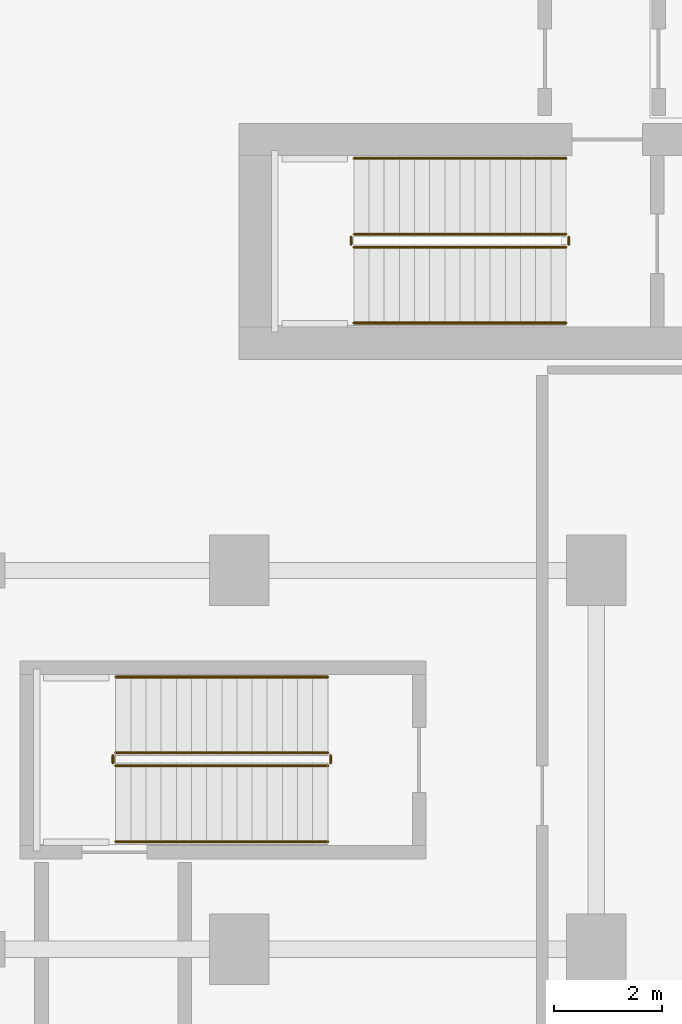
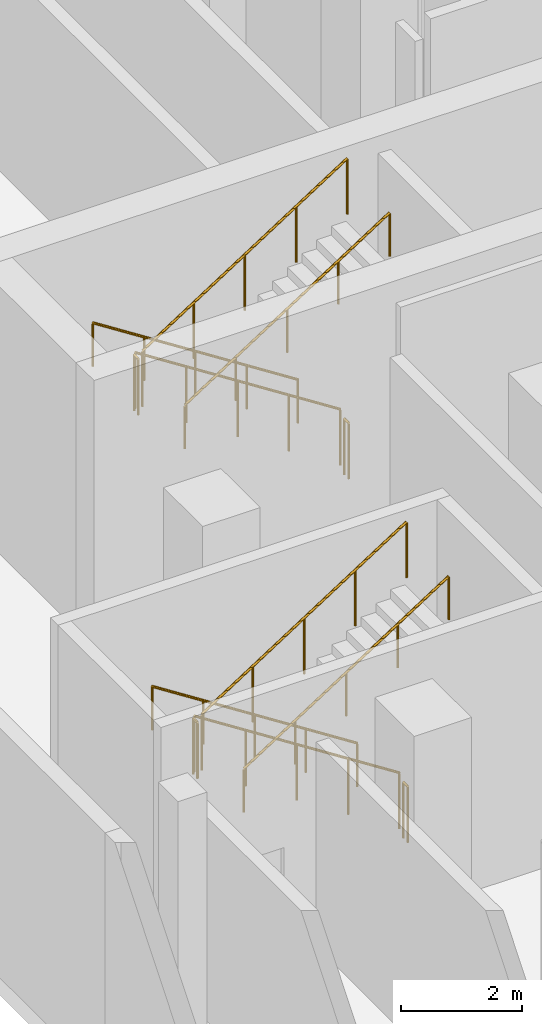
# One storey, part 21 of 24: 12 railings.
"""IFC4 building model written with IfcOpenShell, lengths in metres."""

from ifc_helpers import new_model, si_unit, derived_unit, direction, frame, origin, origin_2d, place, context, subcontext, project, spatial, circle, extrude, material, type_object, element, save


model = new_model("IFC4")

# Units and contexts
model_context = context("Model", 3, precision=1e-05, world=origin(), true_north=direction((0.0, 1.0)))
body_context = subcontext(model_context, "Body", "Model", "MODEL_VIEW")
ifc_project = project(units=[si_unit("LENGTHUNIT", "METRE"), si_unit("AREAUNIT", "SQUARE_METRE"), si_unit("VOLUMEUNIT", "CUBIC_METRE"), si_unit("PLANEANGLEUNIT", "RADIAN"), si_unit("MASSUNIT", "GRAM", prefix="KILO"), derived_unit("THERMALTRANSMITTANCEUNIT", [(si_unit("POWERUNIT", "WATT"), 1), (si_unit("LENGTHUNIT", "METRE"), -2), (si_unit("THERMODYNAMICTEMPERATUREUNIT", "KELVIN"), -1)])], contexts=[model_context])

# Site, building, storey
site_placement = place(None, origin())
site = spatial("IfcSite", under=ifc_project, at=site_placement, CompositionType="ELEMENT")
building_placement = place(site_placement, origin())
building = spatial("IfcBuilding", under=site, at=building_placement, Name="Kivonza Crest Hotel", CompositionType="ELEMENT")
storey_placement = place(building_placement, origin())
storey = spatial("IfcBuildingStorey", under=building, at=storey_placement, Name="L00", CompositionType="ELEMENT", Elevation=0.0)

# Railings
ifc_material_1 = material(Name="Brushed stainless steel handrail", Category="steel")
railing_type_1 = type_object("IfcRailingType", Name="RL-HAND-900", PredefinedType="HANDRAIL", material=ifc_material_1)
railing_1_placement = place(storey_placement, frame((12.239990234375, 36.110107421875, 0.179931640625)))
element("IfcRailing", 1, at=railing_1_placement, inside=storey, type_object=railing_type_1, Name="L00 ST-T1-N stair handrail 1", PredefinedType="HANDRAIL", context=body_context, shape_type="SweptSolid", body=[
    extrude(circle(Radius=0.02392578125, at=origin_2d()), frame((0.0, 0.0, 0.8759765625), z_axis=(-0.841171666519, 0.0, 0.540768182723), x_axis=(0.0, -1.0, 0.0)), (0.0, 0.0, 1.0), 4.66015625),
    extrude(circle(Radius=0.02099609375, at=origin_2d()), origin(), (0.0, 0.0, 1.0), 0.851806640625),
    extrude(circle(Radius=0.02099609375, at=origin_2d()), frame((-0.97998046875, 0.0, 0.6298828125)), (0.0, 0.0, 1.0), 0.851806640625),
    extrude(circle(Radius=0.02099609375, at=origin_2d()), frame((-1.9599609375, 0.0, 1.260009765625)), (0.0, 0.0, 1.0), 0.851806640625),
    extrude(circle(Radius=0.02099609375, at=origin_2d()), frame((-2.93994140625, 0.0, 1.89013671875)), (0.0, 0.0, 1.0), 0.851806640625),
    extrude(circle(Radius=0.02099609375, at=origin_2d()), frame((-3.919921875, 0.0, 2.52001953125)), (0.0, 0.0, 1.0), 0.851806640625),
])
railing_2_placement = place(storey_placement, frame((8.320068359375, 33.070068359375, 2.8798828125)))
element("IfcRailing", 2, at=railing_2_placement, inside=storey, type_object=railing_type_1, Name="L00 ST-T1-N stair handrail 2", PredefinedType="HANDRAIL", context=body_context, shape_type="SweptSolid", body=[
    extrude(circle(Radius=0.02392578125, at=origin_2d()), frame((0.0, 0.0, 0.8759765625), z_axis=(0.841171666519, 0.0, 0.540768182723), x_axis=(0.0, 1.0, 0.0)), (0.0, 0.0, 1.0), 4.66015625),
    extrude(circle(Radius=0.02099609375, at=origin_2d()), origin(), (0.0, 0.0, 1.0), 0.851806640625),
    extrude(circle(Radius=0.02099609375, at=origin_2d()), frame((0.97998046875, 0.0, 0.6298828125)), (0.0, 0.0, 1.0), 0.851806640625),
    extrude(circle(Radius=0.02099609375, at=origin_2d()), frame((1.9599609375, 0.0, 1.260009765625)), (0.0, 0.0, 1.0), 0.851806640625),
    extrude(circle(Radius=0.02099609375, at=origin_2d()), frame((2.93994140625, 0.0, 1.89013671875)), (0.0, 0.0, 1.0), 0.851806640625),
    extrude(circle(Radius=0.02099609375, at=origin_2d()), frame((3.919921875, 0.0, 2.52001953125)), (0.0, 0.0, 1.0), 0.851806640625),
])
railing_3_placement = place(storey_placement, frame((7.840087890625, 26.530029296875, 0.179931640625)))
element("IfcRailing", 3, at=railing_3_placement, inside=storey, type_object=railing_type_1, Name="L00 ST-POD-W stair handrail 1", PredefinedType="HANDRAIL", context=body_context, shape_type="SweptSolid", body=[
    extrude(circle(Radius=0.02392578125, at=origin_2d()), frame((0.0, 0.0, 0.8759765625), z_axis=(-0.841186985886, 0.0, 0.540744352514), x_axis=(0.0, -1.0, 0.0)), (0.0, 0.0, 1.0), 4.660400390625),
    extrude(circle(Radius=0.02099609375, at=origin_2d()), origin(), (0.0, 0.0, 1.0), 0.851806640625),
    extrude(circle(Radius=0.02099609375, at=origin_2d()), frame((-0.97998046875, 0.0, 0.6298828125)), (0.0, 0.0, 1.0), 0.851806640625),
    extrude(circle(Radius=0.02099609375, at=origin_2d()), frame((-1.9599609375, 0.0, 1.260009765625)), (0.0, 0.0, 1.0), 0.851806640625),
    extrude(circle(Radius=0.02099609375, at=origin_2d()), frame((-2.940185546875, 0.0, 1.89013671875)), (0.0, 0.0, 1.0), 0.851806640625),
    extrude(circle(Radius=0.02099609375, at=origin_2d()), frame((-3.920166015625, 0.0, 2.52001953125)), (0.0, 0.0, 1.0), 0.851806640625),
])
railing_4_placement = place(storey_placement, frame((3.919921875, 23.489990234375, 2.8798828125)))
element("IfcRailing", 4, at=railing_4_placement, inside=storey, type_object=railing_type_1, Name="L00 ST-POD-W stair handrail 2", PredefinedType="HANDRAIL", context=body_context, shape_type="SweptSolid", body=[
    extrude(circle(Radius=0.02392578125, at=origin_2d()), frame((0.0, 0.0, 0.8759765625), z_axis=(0.841186985886, 0.0, 0.540744352514), x_axis=(0.0, 1.0, 0.0)), (0.0, 0.0, 1.0), 4.660400390625),
    extrude(circle(Radius=0.02099609375, at=origin_2d()), origin(), (0.0, 0.0, 1.0), 0.851806640625),
    extrude(circle(Radius=0.02099609375, at=origin_2d()), frame((0.97998046875, 0.0, 0.6298828125)), (0.0, 0.0, 1.0), 0.851806640625),
    extrude(circle(Radius=0.02099609375, at=origin_2d()), frame((1.9599609375, 0.0, 1.260009765625)), (0.0, 0.0, 1.0), 0.851806640625),
    extrude(circle(Radius=0.02099609375, at=origin_2d()), frame((2.940185546875, 0.0, 1.89013671875)), (0.0, 0.0, 1.0), 0.851806640625),
    extrude(circle(Radius=0.02099609375, at=origin_2d()), frame((3.920166015625, 0.0, 2.52001953125)), (0.0, 0.0, 1.0), 0.851806640625),
])
ifc_material_2 = material(Name="Painted steel balustrade", Category="steel")
railing_type_2 = type_object("IfcRailingType", Name="RL-STAIR-1150", PredefinedType="BALUSTRADE", material=ifc_material_2)
railing_5_placement = place(storey_placement, frame((12.239990234375, 34.7099609375, 0.179931640625)))
element("IfcRailing", 5, at=railing_5_placement, inside=storey, type_object=railing_type_2, Name="L00 ST-T1-N stair guard 1", PredefinedType="BALUSTRADE", context=body_context, shape_type="SweptSolid", body=[
    extrude(circle(Radius=0.02392578125, at=origin_2d()), frame((0.0, 0.0, 1.1259765625), z_axis=(-0.841171666519, 0.0, 0.540768182723), x_axis=(0.0, -1.0, 0.0)), (0.0, 0.0, 1.0), 4.66015625),
    extrude(circle(Radius=0.02099609375, at=origin_2d()), origin(), (0.0, 0.0, 1.0), 1.101806640625),
    extrude(circle(Radius=0.02099609375, at=origin_2d()), frame((-0.97998046875, 0.0, 0.6298828125)), (0.0, 0.0, 1.0), 1.101806640625),
    extrude(circle(Radius=0.02099609375, at=origin_2d()), frame((-1.9599609375, 0.0, 1.260009765625)), (0.0, 0.0, 1.0), 1.101806640625),
    extrude(circle(Radius=0.02099609375, at=origin_2d()), frame((-2.93994140625, 0.0, 1.89013671875)), (0.0, 0.0, 1.0), 1.101806640625),
    extrude(circle(Radius=0.02099609375, at=origin_2d()), frame((-3.919921875, 0.0, 2.52001953125)), (0.0, 0.0, 1.0), 1.101806640625),
])
railing_6_placement = place(storey_placement, frame((8.27001953125, 34.659912109375, 2.699951171875)))
element("IfcRailing", 6, at=railing_6_placement, inside=storey, type_object=railing_type_2, Name="L00 ST-T1-N stair guard 2", PredefinedType="BALUSTRADE", context=body_context, shape_type="SweptSolid", body=[
    extrude(circle(Radius=0.02392578125, at=origin_2d()), frame((0.0, 0.0, 1.1259765625), z_axis=(0.0, -1.0, 0.0), x_axis=(1.0, 0.0, 0.0)), (0.0, 0.0, 1.0), 0.139892578125),
    extrude(circle(Radius=0.02099609375, at=origin_2d()), origin(), (0.0, 0.0, 1.0), 1.101806640625),
    extrude(circle(Radius=0.02099609375, at=origin_2d()), frame((0.0, -0.139892578125, 0.0)), (0.0, 0.0, 1.0), 1.101806640625),
])
railing_7_placement = place(storey_placement, frame((8.320068359375, 34.469970703125, 2.8798828125)))
element("IfcRailing", 7, at=railing_7_placement, inside=storey, type_object=railing_type_2, Name="L00 ST-T1-N stair guard 3", PredefinedType="BALUSTRADE", context=body_context, shape_type="SweptSolid", body=[
    extrude(circle(Radius=0.02392578125, at=origin_2d()), frame((0.0, 0.0, 1.1259765625), z_axis=(0.841171666519, 0.0, 0.540768182723), x_axis=(0.0, 1.0, 0.0)), (0.0, 0.0, 1.0), 4.66015625),
    extrude(circle(Radius=0.02099609375, at=origin_2d()), origin(), (0.0, 0.0, 1.0), 1.101806640625),
    extrude(circle(Radius=0.02099609375, at=origin_2d()), frame((0.97998046875, 0.0, 0.6298828125)), (0.0, 0.0, 1.0), 1.101806640625),
    extrude(circle(Radius=0.02099609375, at=origin_2d()), frame((1.9599609375, 0.0, 1.260009765625)), (0.0, 0.0, 1.0), 1.101806640625),
    extrude(circle(Radius=0.02099609375, at=origin_2d()), frame((2.93994140625, 0.0, 1.89013671875)), (0.0, 0.0, 1.0), 1.101806640625),
    extrude(circle(Radius=0.02099609375, at=origin_2d()), frame((3.919921875, 0.0, 2.52001953125)), (0.0, 0.0, 1.0), 1.101806640625),
])
railing_8_placement = place(storey_placement, frame((12.2900390625, 34.659912109375, 0.0)))
element("IfcRailing", 8, at=railing_8_placement, inside=storey, type_object=railing_type_2, Name="L00 ST-T1-N stair guard 4", PredefinedType="BALUSTRADE", context=body_context, shape_type="SweptSolid", body=[
    extrude(circle(Radius=0.02392578125, at=origin_2d()), frame((0.0, 0.0, 1.1259765625), z_axis=(0.0, -1.0, 0.0), x_axis=(1.0, 0.0, 0.0)), (0.0, 0.0, 1.0), 0.139892578125),
    extrude(circle(Radius=0.02099609375, at=origin_2d()), origin(), (0.0, 0.0, 1.0), 1.101806640625),
    extrude(circle(Radius=0.02099609375, at=origin_2d()), frame((0.0, -0.139892578125, 0.0)), (0.0, 0.0, 1.0), 1.101806640625),
])
railing_9_placement = place(storey_placement, frame((7.840087890625, 25.1298828125, 0.179931640625)))
element("IfcRailing", 9, at=railing_9_placement, inside=storey, type_object=railing_type_2, Name="L00 ST-POD-W stair guard 1", PredefinedType="BALUSTRADE", context=body_context, shape_type="SweptSolid", body=[
    extrude(circle(Radius=0.02392578125, at=origin_2d()), frame((0.0, 0.0, 1.1259765625), z_axis=(-0.841186985886, 0.0, 0.540744352514), x_axis=(0.0, -1.0, 0.0)), (0.0, 0.0, 1.0), 4.660400390625),
    extrude(circle(Radius=0.02099609375, at=origin_2d()), origin(), (0.0, 0.0, 1.0), 1.101806640625),
    extrude(circle(Radius=0.02099609375, at=origin_2d()), frame((-0.97998046875, 0.0, 0.6298828125)), (0.0, 0.0, 1.0), 1.101806640625),
    extrude(circle(Radius=0.02099609375, at=origin_2d()), frame((-1.9599609375, 0.0, 1.260009765625)), (0.0, 0.0, 1.0), 1.101806640625),
    extrude(circle(Radius=0.02099609375, at=origin_2d()), frame((-2.940185546875, 0.0, 1.89013671875)), (0.0, 0.0, 1.0), 1.101806640625),
    extrude(circle(Radius=0.02099609375, at=origin_2d()), frame((-3.920166015625, 0.0, 2.52001953125)), (0.0, 0.0, 1.0), 1.101806640625),
])
railing_10_placement = place(storey_placement, frame((3.8701171875, 25.080078125, 2.699951171875)))
element("IfcRailing", 10, at=railing_10_placement, inside=storey, type_object=railing_type_2, Name="L00 ST-POD-W stair guard 2", PredefinedType="BALUSTRADE", context=body_context, shape_type="SweptSolid", body=[
    extrude(circle(Radius=0.02392578125, at=origin_2d()), frame((0.0, 0.0, 1.1259765625), z_axis=(0.0, -1.0, 0.0), x_axis=(1.0, 0.0, 0.0)), (0.0, 0.0, 1.0), 0.14013671875),
    extrude(circle(Radius=0.02099609375, at=origin_2d()), origin(), (0.0, 0.0, 1.0), 1.101806640625),
    extrude(circle(Radius=0.02099609375, at=origin_2d()), frame((0.0, -0.14013671875, 0.0)), (0.0, 0.0, 1.0), 1.101806640625),
])
railing_11_placement = place(storey_placement, frame((3.919921875, 24.889892578125, 2.8798828125)))
element("IfcRailing", 11, at=railing_11_placement, inside=storey, type_object=railing_type_2, Name="L00 ST-POD-W stair guard 3", PredefinedType="BALUSTRADE", context=body_context, shape_type="SweptSolid", body=[
    extrude(circle(Radius=0.02392578125, at=origin_2d()), frame((0.0, 0.0, 1.1259765625), z_axis=(0.841186985886, 0.0, 0.540744352514), x_axis=(0.0, 1.0, 0.0)), (0.0, 0.0, 1.0), 4.660400390625),
    extrude(circle(Radius=0.02099609375, at=origin_2d()), origin(), (0.0, 0.0, 1.0), 1.101806640625),
    extrude(circle(Radius=0.02099609375, at=origin_2d()), frame((0.97998046875, 0.0, 0.6298828125)), (0.0, 0.0, 1.0), 1.101806640625),
    extrude(circle(Radius=0.02099609375, at=origin_2d()), frame((1.9599609375, 0.0, 1.260009765625)), (0.0, 0.0, 1.0), 1.101806640625),
    extrude(circle(Radius=0.02099609375, at=origin_2d()), frame((2.940185546875, 0.0, 1.89013671875)), (0.0, 0.0, 1.0), 1.101806640625),
    extrude(circle(Radius=0.02099609375, at=origin_2d()), frame((3.920166015625, 0.0, 2.52001953125)), (0.0, 0.0, 1.0), 1.101806640625),
])
railing_12_placement = place(storey_placement, frame((7.889892578125, 25.080078125, 0.0)))
element("IfcRailing", 12, at=railing_12_placement, inside=storey, type_object=railing_type_2, Name="L00 ST-POD-W stair guard 4", PredefinedType="BALUSTRADE", context=body_context, shape_type="SweptSolid", body=[
    extrude(circle(Radius=0.02392578125, at=origin_2d()), frame((0.0, 0.0, 1.1259765625), z_axis=(0.0, -1.0, 0.0), x_axis=(1.0, 0.0, 0.0)), (0.0, 0.0, 1.0), 0.14013671875),
    extrude(circle(Radius=0.02099609375, at=origin_2d()), origin(), (0.0, 0.0, 1.0), 1.101806640625),
    extrude(circle(Radius=0.02099609375, at=origin_2d()), frame((0.0, -0.14013671875, 0.0)), (0.0, 0.0, 1.0), 1.101806640625),
])

save(model, "model.ifc")
